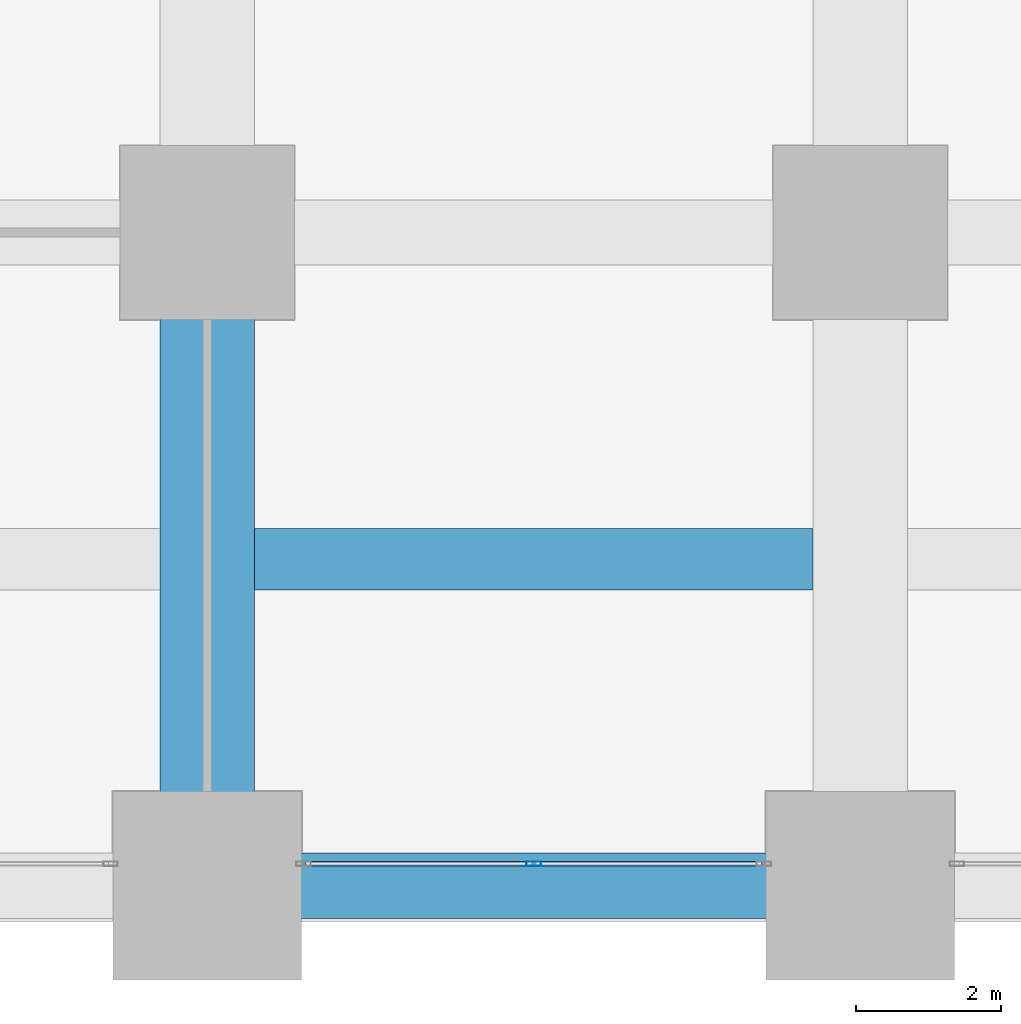
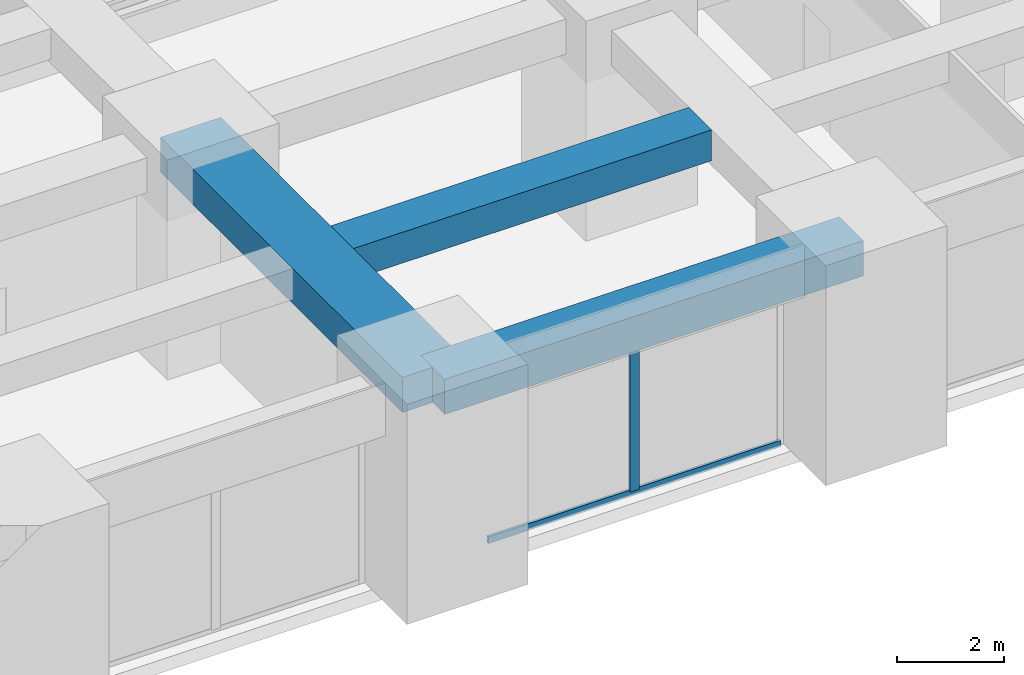
# One storey, part 7 of 46: 3 beams, 2 members, 1 element without a shape of its own.
"""IFC4 building model written with IfcOpenShell, lengths in metres."""

import ifcopenshell
import ifcopenshell.guid

model = None  # the IFC model being written
_history = None  # IfcOwnerHistory: only IFC2X3 demands one
_inside = {}  # id of a spatial element -> (the spatial element, [elements in it])
_under = {}  # id of a project, library or spatial element -> (it, [spatial elements below it])
_declared = {}  # id of a project -> (the project, [libraries it declares])
_typed = {}  # id of a type object -> (the type object, [elements of that type])
_made_of = {}  # id of a material, layer set ... -> (it, [elements and type objects made of it])


def new_model(schema):
    """Start an empty IFC model of exactly this schema.

    Asked for "IFC4X3", IfcOpenShell would pick the latest addendum, in which some entities
    have other attributes; the version numbers below select the first issue.
    IFC2X3 requires an IfcOwnerHistory on every rooted entity: one is made here for all.
    """
    global model, _history
    if schema == "IFC4X3":
        model = ifcopenshell.file(schema_version=(4, 3, 0, 0))
    else:
        model = ifcopenshell.file(schema=schema)
    _inside.clear()
    _under.clear()
    _declared.clear()
    _typed.clear()
    _made_of.clear()
    _history = None
    if model.schema == "IFC2X3":
        org = make("IfcOrganization", Name="unknown")
        user = make(
            "IfcPersonAndOrganization",
            ThePerson=make("IfcPerson", FamilyName="unknown"),
            TheOrganization=org,
        )
        app = make(
            "IfcApplication",
            ApplicationDeveloper=org,
            Version="unknown",
            ApplicationFullName="unknown",
            ApplicationIdentifier="unknown",
        )
        _history = make(
            "IfcOwnerHistory",
            OwningUser=user,
            OwningApplication=app,
            ChangeAction="ADDED",
            CreationDate=0,
        )
    return model


def make(cls, **values):
    """One entity of the class cls with the attributes given. An attribute that is None is left unset."""
    return model.create_entity(
        cls, **{name: value for name, value in values.items() if value is not None}
    )


def rooted(cls, **values):
    """An entity with a GlobalId (a new one), such as an element, a storey or a relation."""
    return make(cls, GlobalId=ifcopenshell.guid.new(), OwnerHistory=_history, **values)


def si_unit(unit_type, name, prefix=None):
    """IfcSIUnit, for example si_unit("LENGTHUNIT", "METRE", prefix="MILLI")."""
    return make("IfcSIUnit", UnitType=unit_type, Prefix=prefix, Name=name)


def assignment(units):
    """IfcUnitAssignment: the units of a project."""
    return None if units is None else make("IfcUnitAssignment", Units=units)


def point(xyz):
    """IfcCartesianPoint."""
    return None if xyz is None else make("IfcCartesianPoint", Coordinates=xyz)


def direction(xyz):
    """IfcDirection."""
    return None if xyz is None else make("IfcDirection", DirectionRatios=xyz)


def frame(location, z_axis=None, x_axis=None):
    """IfcAxis2Placement3D, a coordinate frame: its origin and axes. An axis left out is left unset."""
    return make(
        "IfcAxis2Placement3D",
        Location=point(location),
        Axis=direction(z_axis),
        RefDirection=direction(x_axis),
    )


def frame_2d(location, x_axis=None):
    """IfcAxis2Placement2D, a coordinate frame in the plane: its origin and x axis."""
    return make(
        "IfcAxis2Placement2D", Location=point(location), RefDirection=direction(x_axis)
    )


def origin():
    """The frame at (0, 0, 0) with its axes left unset."""
    return frame((0.0, 0.0, 0.0))


def origin_2d():
    """The frame at (0, 0) in the plane with its x axis left unset."""
    return frame_2d((0.0, 0.0))


def place(relative_to, where):
    """IfcLocalPlacement: puts the frame where relative to a parent placement (None: the world)."""
    return make(
        "IfcLocalPlacement", PlacementRelTo=relative_to, RelativePlacement=where
    )


def context(
    kind, dimensions, precision=None, world=None, true_north=None, identifier=None
):
    """IfcGeometricRepresentationContext, for example the 3D "Model" context."""
    return make(
        "IfcGeometricRepresentationContext",
        ContextIdentifier=identifier,
        ContextType=kind,
        CoordinateSpaceDimension=dimensions,
        Precision=precision,
        WorldCoordinateSystem=world,
        TrueNorth=true_north,
    )


def subcontext(parent, identifier, kind, view, scale=None):
    """IfcGeometricRepresentationSubContext, for example "Body" below "Model"."""
    return make(
        "IfcGeometricRepresentationSubContext",
        ContextIdentifier=identifier,
        ContextType=kind,
        ParentContext=parent,
        TargetScale=scale,
        TargetView=view,
    )


def project(units=None, contexts=None):
    """IfcProject with its units and contexts."""
    return rooted(
        "IfcProject",
        Name="project",
        RepresentationContexts=contexts,
        UnitsInContext=assignment(units),
    )


def spatial(cls, under=None, at=None, **own):
    """A site, building, storey or space (cls), placed at a placement, below another one or the project."""
    s = rooted(cls, ObjectPlacement=at, **own)
    if under is not None:
        _under.setdefault(under.id(), (under, []))[1].append(s)
    return s


def profile(cls, at=None, kind="AREA", **sizes):
    """A parametric profile (cls). Its sizes go by their IFC names, for example OverallWidth=200.0."""
    return make(cls, ProfileType=kind, Position=at, **sizes)


def rectangle(**sizes):
    """IfcRectangleProfileDef."""
    return profile("IfcRectangleProfileDef", **sizes)


def hollow_rectangle(**sizes):
    """IfcRectangleHollowProfileDef."""
    return profile("IfcRectangleHollowProfileDef", **sizes)


def extrude(swept, where, along, depth):
    """IfcExtrudedAreaSolid: the profile swept, set in the frame where, extruded along a direction by depth."""
    return make(
        "IfcExtrudedAreaSolid",
        SweptArea=swept,
        Position=where,
        ExtrudedDirection=direction(along),
        Depth=depth,
    )


def shape(context_of_items, identifier, shape_type, items):
    """IfcShapeRepresentation: the items that make up one representation, for example the "Body"."""
    return make(
        "IfcShapeRepresentation",
        ContextOfItems=context_of_items,
        RepresentationIdentifier=identifier,
        RepresentationType=shape_type,
        Items=items,
    )


def material(Name=None, Category=None):
    """IfcMaterial."""
    return make("IfcMaterial", Name=Name, Category=Category)


def material_profile(
    of_material, cross_section, Name=None, Category=None, Priority=None
):
    """IfcMaterialProfile: a cross section and its material."""
    return make(
        "IfcMaterialProfile",
        Name=Name,
        Material=of_material,
        Profile=cross_section,
        Priority=Priority,
        Category=Category,
    )


def profile_set(profiles, Name=None, composite=None):
    """IfcMaterialProfileSet."""
    return make(
        "IfcMaterialProfileSet",
        Name=Name,
        MaterialProfiles=profiles,
        CompositeProfile=composite,
    )


def made_of(thing, what):
    """Note that an element or type object is made of a material, layer set ...; save() writes the relation."""
    if what is not None:
        _made_of.setdefault(what.id(), (what, []))[1].append(thing)
    return thing


def type_object(cls, material=None, **own):
    """A type object (cls), such as IfcWallType, which elements share."""
    return made_of(rooted(cls, **own), material)


def element(
    cls,
    number,
    at=None,
    inside=None,
    cuts=None,
    type_object=None,
    material=None,
    context=None,
    identifier="Body",
    shape_type=None,
    held_by="IfcProductDefinitionShape",
    body=None,
    shapes=None,
    **own,
):
    """One element of the class cls, such as IfcWall. Its Tag is "e" and its number.

    at: its placement. inside: the storey or other place that contains it. cuts: it is an
    opening in that element (IfcRelVoidsElement). A single representation is given by context,
    identifier, shape_type and body (its items); several are given by shapes. held_by: the class
    of the entity that holds the representations. save() writes the other relations.
    """
    e = rooted(cls, Tag="e%d" % number, ObjectPlacement=at, **own)
    if body is not None:
        shapes = [shape(context, identifier, shape_type, body)]
    if shapes is not None:
        e.Representation = make(held_by, Representations=shapes)
    if inside is not None:
        _inside.setdefault(inside.id(), (inside, []))[1].append(e)
    if cuts is not None:
        rooted(
            "IfcRelVoidsElement", RelatingBuildingElement=cuts, RelatedOpeningElement=e
        )
    if type_object is not None:
        _typed.setdefault(type_object.id(), (type_object, []))[1].append(e)
    return made_of(e, material)


def aggregate(whole, parts):
    """IfcRelAggregates: a whole, such as a stair, and the parts it consists of."""
    return rooted("IfcRelAggregates", RelatingObject=whole, RelatedObjects=parts)


def save(model, path):
    """Write the relations noted so far, then the file.

    IfcRelAggregates (storeys below a building ...), IfcRelContainedInSpatialStructure (elements
    in a storey), IfcRelDefinesByType, IfcRelAssociatesMaterial and IfcRelDeclares: one each for
    every whole, place, type object, material and project.
    """
    for whole, parts in _under.values():
        aggregate(whole, parts)
    for where, things in _inside.values():
        rooted(
            "IfcRelContainedInSpatialStructure",
            RelatedElements=things,
            RelatingStructure=where,
        )
    for kind, things in _typed.values():
        rooted("IfcRelDefinesByType", RelatedObjects=things, RelatingType=kind)
    for what, things in _made_of.values():
        rooted("IfcRelAssociatesMaterial", RelatedObjects=things, RelatingMaterial=what)
    for by, libraries in _declared.values():
        rooted("IfcRelDeclares", RelatingContext=by, RelatedDefinitions=libraries)
    model.write(path)


model = new_model("IFC4")

# Units and contexts
model_context = context("Model", 3, precision=1e-05, world=origin(), true_north=direction((0.0, 1.0)))
body_context = subcontext(model_context, "Body", "Model", "MODEL_VIEW")
ifc_project = project(units=[si_unit("LENGTHUNIT", "METRE"), si_unit("AREAUNIT", "SQUARE_METRE"), si_unit("VOLUMEUNIT", "CUBIC_METRE"), si_unit("PLANEANGLEUNIT", "RADIAN"), si_unit("MASSUNIT", "GRAM", prefix="KILO")], contexts=[model_context])

# Site, building, storey
site_placement = place(None, origin())
site = spatial("IfcSite", under=ifc_project, at=site_placement, CompositionType="ELEMENT")
building_placement = place(site_placement, origin())
building = spatial("IfcBuilding", under=site, at=building_placement, Name="Zorevar Civic Tower", CompositionType="ELEMENT")
storey_placement = place(building_placement, frame((0.0, 0.0, 10.800048828125)))
storey = spatial("IfcBuildingStorey", under=building, at=storey_placement, Name="L02", CompositionType="ELEMENT", Elevation=10.800048828125)

# Beams
ifc_material_1 = material(Name="Concrete C50/60", Category="concrete")
ifc_material_profile_1 = material_profile(ifc_material_1, rectangle(XDim=1.300048828125, YDim=0.800048828125, at=origin_2d()), Name="RC 1300x800")
ifc_profile_set_1 = profile_set([ifc_material_profile_1], Name="Concrete C50/60")
beam_type_1 = type_object("IfcBeamType", Name="Beam RC 1300x800", PredefinedType="BEAM", material=ifc_profile_set_1)
beam_1_placement = place(storey_placement, frame((18.0, 0.0, 4.199951171875), z_axis=(0.0, 1.0, 0.0), x_axis=(-1.0, 0.0, 0.0)))
element("IfcBeam", 1, at=beam_1_placement, inside=storey, type_object=beam_type_1, Name="Girder L03", PredefinedType="BEAM", context=body_context, shape_type="SweptSolid", body=[
    extrude(rectangle(XDim=1.300048828125, YDim=0.800048828125, at=origin_2d()), origin(), (0.0, 0.0, 1.0), 9.0),
])
ifc_material_2 = material(Name="Concrete C50/60", Category="concrete")
ifc_material_profile_2 = material_profile(ifc_material_2, rectangle(XDim=0.85009765625, YDim=0.699951171875, at=origin_2d()), Name="RC 850x700")
ifc_profile_set_2 = profile_set([ifc_material_profile_2], Name="Concrete C50/60")
beam_type_2 = type_object("IfcBeamType", Name="Beam RC 850x700", PredefinedType="BEAM", material=ifc_profile_set_2)
beam_2_placement = place(storey_placement, frame((18.64990234375, 4.5, 4.25), z_axis=(1.0, 0.0, 0.0), x_axis=(0.0, 1.0, 0.0)))
element("IfcBeam", 2, at=beam_2_placement, inside=storey, type_object=beam_type_2, Name="Secondary beam L03", PredefinedType="BEAM", context=body_context, shape_type="SweptSolid", body=[
    extrude(rectangle(XDim=0.85009765625, YDim=0.699951171875, at=origin_2d()), origin(), (0.0, 0.0, 1.0), 7.7001953125),
])

# Curtain wall, members
ifc_material_3 = material(Name="Dark grey solar-control glass in black aluminium frame", Category="aluminium")
curtain_wall_type = type_object("IfcCurtainWallType", Name="Curtain wall CW1 podium", PredefinedType="NOTDEFINED", material=ifc_material_3)
curtain_wall_placement = place(storey_placement, origin())
curtain_wall = element("IfcCurtainWall", 3, at=curtain_wall_placement, inside=storey, type_object=curtain_wall_type, Name="CW1 L02", PredefinedType="NOTDEFINED")
ifc_material_4 = material(Name="Aluminium, black anodised", Category="aluminium")
ifc_material_profile_3 = material_profile(ifc_material_4, hollow_rectangle(XDim=0.06005859375, YDim=0.199951171875, WallThickness=0.00390625, at=origin_2d()), Name="AL 200x60x4")
ifc_profile_set_3 = profile_set([ifc_material_profile_3], Name="Aluminium, black anodised")
member_type_1 = type_object("IfcMemberType", Name="CW1 mullion AL 200x60x4", PredefinedType="MULLION", material=ifc_profile_set_3)
member_1_placement = place(storey_placement, frame((22.5, 0.300048828125, 0.06005859375), z_axis=(0.0, 0.0, 1.0), x_axis=(0.0, 1.0, 0.0)))
member_1 = element("IfcMember", 4, at=member_1_placement, type_object=member_type_1, Name="CW1 mullion 2", PredefinedType="MULLION", context=body_context, shape_type="SweptSolid", body=[
    extrude(hollow_rectangle(XDim=0.06005859375, YDim=0.199951171875, WallThickness=0.00390625, at=origin_2d()), origin(), (0.0, 0.0, 1.0), 3.739990234375),
])
ifc_material_5 = material(Name="Aluminium, black anodised", Category="aluminium")
ifc_material_profile_4 = material_profile(ifc_material_5, hollow_rectangle(XDim=0.06005859375, YDim=0.14990234375, WallThickness=0.00390625, at=origin_2d()), Name="AL 150x60x4")
ifc_profile_set_4 = profile_set([ifc_material_profile_4], Name="Aluminium, black anodised")
member_type_2 = type_object("IfcMemberType", Name="CW1 transom AL 150x60x4", PredefinedType="USERDEFINED", material=ifc_profile_set_4)
member_2_placement = place(storey_placement, frame((19.360107421875, 0.300048828125, 0.030029296875), z_axis=(1.0, 0.0, 0.0), x_axis=(0.0, 1.0, 0.0)))
member_2 = element("IfcMember", 5, at=member_2_placement, type_object=member_type_2, Name="CW1 sill transom", ObjectType="TRANSOM", PredefinedType="USERDEFINED", context=body_context, shape_type="SweptSolid", body=[
    extrude(hollow_rectangle(XDim=0.06005859375, YDim=0.14990234375, WallThickness=0.00390625, at=origin_2d()), origin(), (0.0, 0.0, 1.0), 6.27978515625),
])
aggregate(curtain_wall, [member_1, member_2])

# Beam
ifc_material_6 = material(Name="Concrete C50/60", Category="concrete")
ifc_material_profile_5 = material_profile(ifc_material_6, rectangle(XDim=0.89990234375, YDim=0.800048828125, at=origin_2d()), Name="RC 900x800")
ifc_profile_set_5 = profile_set([ifc_material_profile_5], Name="Concrete C50/60")
beam_type_3 = type_object("IfcBeamType", Name="Edge beam RC 900x800", PredefinedType="SPANDREL", material=ifc_profile_set_5)
beam_3_placement = place(storey_placement, frame((18.0, 0.0, 4.199951171875), z_axis=(1.0, 0.0, 0.0), x_axis=(0.0, 1.0, 0.0)))
element("IfcBeam", 6, at=beam_3_placement, inside=storey, type_object=beam_type_3, Name="Edge beam L03", PredefinedType="SPANDREL", context=body_context, shape_type="SweptSolid", body=[
    extrude(rectangle(XDim=0.89990234375, YDim=0.800048828125, at=origin_2d()), origin(), (0.0, 0.0, 1.0), 9.0),
])

save(model, "model.ifc")
